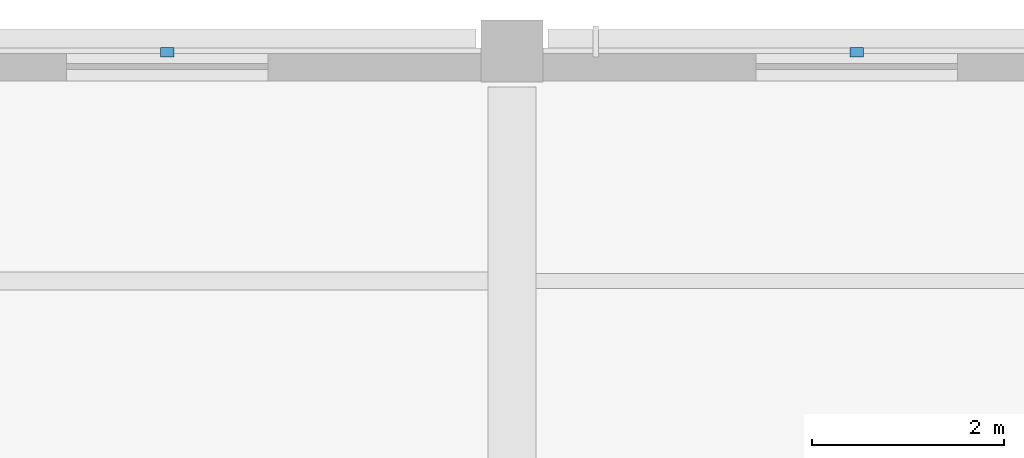
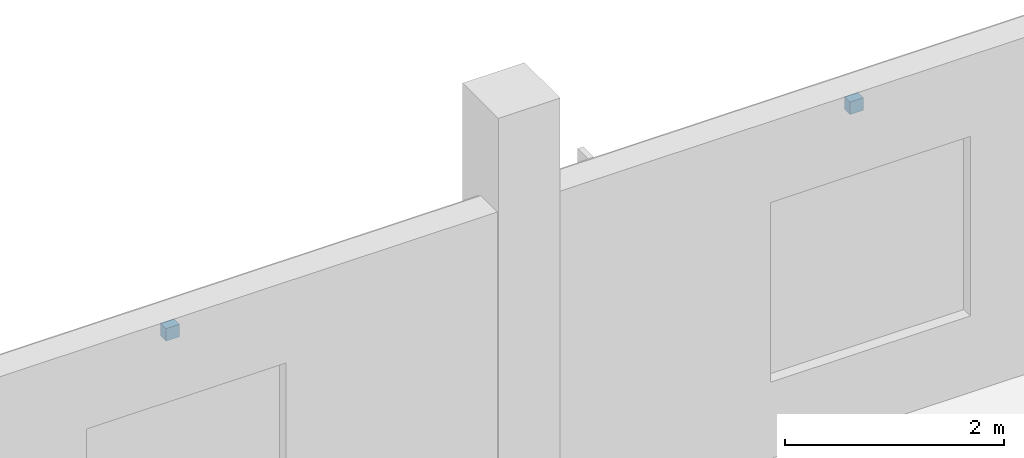
# One storey, part 107 of 127: 2 discrete accessories.
"""IFC4 building model written with IfcOpenShell, lengths in metres."""

from ifc_helpers import new_model, si_unit, direction, frame, origin, origin_2d, place, context, subcontext, project, spatial, rectangle, extrude, material, type_object, element, save


model = new_model("IFC4")

# Units and contexts
model_context = context("Model", 3, precision=1e-05, world=origin(), true_north=direction((0.0, 1.0)))
body_context = subcontext(model_context, "Body", "Model", "MODEL_VIEW")
ifc_project = project(units=[si_unit("LENGTHUNIT", "METRE"), si_unit("AREAUNIT", "SQUARE_METRE"), si_unit("VOLUMEUNIT", "CUBIC_METRE"), si_unit("PLANEANGLEUNIT", "RADIAN"), si_unit("MASSUNIT", "GRAM", prefix="KILO")], contexts=[model_context])

# Site, building, storey
site_placement = place(None, origin())
site = spatial("IfcSite", under=ifc_project, at=site_placement, CompositionType="ELEMENT")
building_placement = place(site_placement, origin())
building = spatial("IfcBuilding", under=site, at=building_placement, Name="Kalmorath City Hall", CompositionType="ELEMENT")
storey_placement = place(building_placement, frame((0.0, 0.0, 5.39990234375)))
storey = spatial("IfcBuildingStorey", under=building, at=storey_placement, Name="L01", CompositionType="ELEMENT", Elevation=5.39990234375)

# Discrete accessories
ifc_material = material(Name="Stainless steel Grade 316", Category="steel")
discrete_accessory_type = type_object("IfcDiscreteAccessoryType", Name="Stainless rainscreen support bracket", PredefinedType="BRACKET", material=ifc_material)
for number, where, z_axis, x_axis, name in (
    (1, (111.60009765625, 115.18994140625, 3.3310546875), (0.0, 0.0, 1.0), (1.0, 0.0, 0.0), "L01 basalt anchor bracket #31"),
    (2, (118.800048828125, 115.18994140625, 3.3310546875), (0.0, 0.0, 1.0), (1.0, 0.0, 0.0), "L01 basalt anchor bracket #32"),
):
    element("IfcDiscreteAccessory", number, at=place(storey_placement, frame(where, z_axis=z_axis, x_axis=x_axis)), inside=storey, type_object=discrete_accessory_type, Name=name, PredefinedType="BRACKET", context=body_context, shape_type="SweptSolid", body=[
        extrude(rectangle(XDim=0.139892578125, YDim=0.10009765625, at=origin_2d()), origin(), (0.0, 0.0, 1.0), 0.139892578125),
    ])

save(model, "model.ifc")
